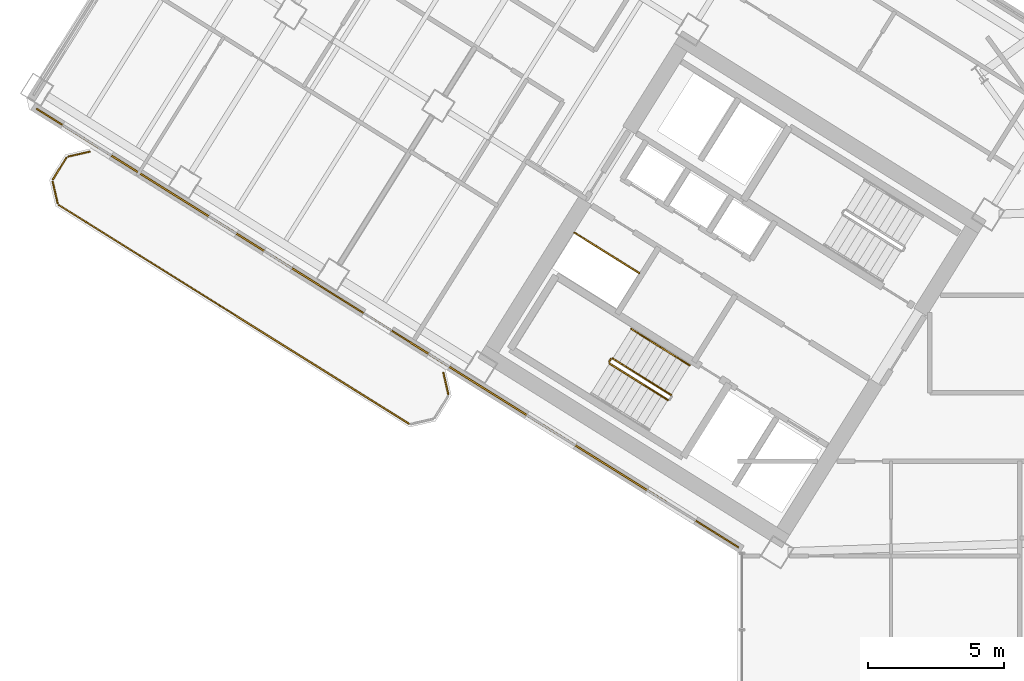
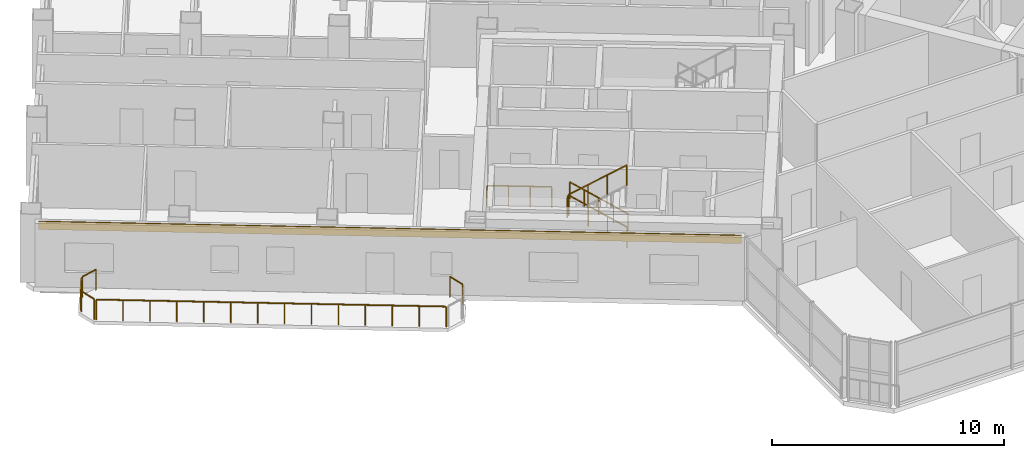
# One storey, part 18 of 21: 11 railings, 1 covering.
"""IFC4 building model written with IfcOpenShell, lengths in metres."""

from ifc_helpers import new_model, si_unit, direction, frame, origin, origin_2d, place, context, subcontext, project, spatial, rectangle, extrude, source, transform, mapped, material, layer, layer_set, type_object, element, save


model = new_model("IFC4")

# Units and contexts
model_context = context("Model", 3, precision=1e-05, world=origin(), true_north=direction((0.0, 1.0)))
body_context = subcontext(model_context, "Body", "Model", "MODEL_VIEW")
ifc_project = project(units=[si_unit("LENGTHUNIT", "METRE"), si_unit("AREAUNIT", "SQUARE_METRE"), si_unit("VOLUMEUNIT", "CUBIC_METRE"), si_unit("PLANEANGLEUNIT", "RADIAN"), si_unit("MASSUNIT", "GRAM", prefix="KILO")], contexts=[model_context])

# Site, building, storey
site_placement = place(None, origin())
site = spatial("IfcSite", under=ifc_project, at=site_placement, CompositionType="ELEMENT")
building_placement = place(site_placement, origin())
building = spatial("IfcBuilding", under=site, at=building_placement, Name="Tlacorven Tower", CompositionType="ELEMENT")
storey_placement = place(building_placement, frame((0.0, 0.0, 119.699951171875)))
storey = spatial("IfcBuildingStorey", under=building, at=storey_placement, Name="L30", CompositionType="ELEMENT", Elevation=119.699951171875)

# Railings
ifc_material_1 = material(Name="Aluminium and painted steel balustrade", Category="steel")
railing_type_1 = type_object("IfcRailingType", Name="RL-GRD-1100", PredefinedType="GUARDRAIL", material=ifc_material_1)
shared_shape_1 = source(origin(), body_context, "Body", "SweptSolid", [
    extrude(rectangle(XDim=0.048095703125, YDim=0.048095703125, at=origin_2d()), frame((0.0, 0.0, 1.076171875), z_axis=(-0.848091358275, 0.529850024081, 0.0), x_axis=(-0.529850024081, -0.848091358275, 0.0)), (0.0, 0.0, 1.0), 2.800048828125),
    extrude(rectangle(XDim=0.0419921875, YDim=0.0419921875, at=origin_2d()), origin(), (0.0, 0.0, 1.0), 1.052001953125),
    extrude(rectangle(XDim=0.0419921875, YDim=0.0419921875, at=origin_2d()), frame((-0.79150390625, 0.49462890625, 0.0)), (0.0, 0.0, 1.0), 1.052001953125),
    extrude(rectangle(XDim=0.0419921875, YDim=0.0419921875, at=origin_2d()), frame((-1.583251953125, 0.989013671875, 0.0)), (0.0, 0.0, 1.0), 1.052001953125),
    extrude(rectangle(XDim=0.0419921875, YDim=0.0419921875, at=origin_2d()), frame((-2.374755859375, 1.483642578125, 0.0)), (0.0, 0.0, 1.0), 1.052001953125),
])
railing_1_placement = place(storey_placement, frame((27.9912109375, 22.32080078125, 0.0)))
element("IfcRailing", 1, at=railing_1_placement, inside=storey, type_object=railing_type_1, Name="L30 Electrical Riser W Shaft Guard 1", PredefinedType="GUARDRAIL", context=body_context, shape_type="MappedRepresentation", body=[
    mapped(shared_shape_1, transform((0.0, 0.0, 0.0), scale=1.0)),
])
railing_type_2 = type_object("IfcRailingType", Name="RL-BAL-1100", PredefinedType="BALUSTRADE", material=ifc_material_1)
shared_shape_2 = source(origin(), body_context, "Body", "SweptSolid", [
    extrude(rectangle(XDim=0.048095703125, YDim=0.048095703125, at=origin_2d()), frame((0.0, 0.0, 1.076171875), z_axis=(0.225058334816, -0.974345290916, 0.0), x_axis=(0.974345290916, 0.225058334816, 0.0)), (0.0, 0.0, 1.0), 0.80712890625),
    extrude(rectangle(XDim=0.0419921875, YDim=0.0419921875, at=origin_2d()), origin(), (0.0, 0.0, 1.0), 1.052001953125),
    extrude(rectangle(XDim=0.0419921875, YDim=0.0419921875, at=origin_2d()), frame((0.181640625, -0.786376953125, 0.0)), (0.0, 0.0, 1.0), 1.052001953125),
])
railing_2_placement = place(storey_placement, frame((20.809814453125, 18.671142578125, 0.0)))
element("IfcRailing", 2, at=railing_2_placement, inside=storey, type_object=railing_type_2, Name="BAL-L30-W-OUT Guard Railing 1", PredefinedType="BALUSTRADE", context=body_context, shape_type="MappedRepresentation", body=[
    mapped(shared_shape_2, transform((0.0, 0.0, 0.0), scale=1.0)),
])
shared_shape_3 = source(origin(), body_context, "Body", "SweptSolid", [
    extrude(rectangle(XDim=0.048095703125, YDim=0.048095703125, at=origin_2d()), frame((0.0, 0.0, 1.076171875), z_axis=(-0.225058334816, 0.974345290916, 0.0), x_axis=(-0.974345290916, -0.225058334816, 0.0)), (0.0, 0.0, 1.0), 0.80712890625),
    extrude(rectangle(XDim=0.0419921875, YDim=0.0419921875, at=origin_2d()), origin(), (0.0, 0.0, 1.0), 1.052001953125),
    extrude(rectangle(XDim=0.0419921875, YDim=0.0419921875, at=origin_2d()), frame((-0.181640625, 0.786376953125, 0.0)), (0.0, 0.0, 1.0), 1.052001953125),
])
railing_3_placement = place(storey_placement, frame((6.66650390625, 24.88623046875, 0.0)))
element("IfcRailing", 3, at=railing_3_placement, inside=storey, type_object=railing_type_2, Name="BAL-L30-W-OUT Guard Railing 5", PredefinedType="BALUSTRADE", context=body_context, shape_type="MappedRepresentation", body=[
    mapped(shared_shape_3, transform((0.0, 0.0, 0.0), scale=1.0)),
])
shared_shape_4 = source(origin(), body_context, "Body", "SweptSolid", [
    extrude(rectangle(XDim=0.048095703125, YDim=0.048095703125, at=origin_2d()), frame((0.0, 0.0, 1.076171875), z_axis=(0.974411586182, 0.224771129628, 0.0), x_axis=(-0.224771129628, 0.974411586182, 0.0)), (0.0, 0.0, 1.0), 0.80712890625),
    extrude(rectangle(XDim=0.0419921875, YDim=0.0419921875, at=origin_2d()), origin(), (0.0, 0.0, 1.0), 1.052001953125),
    extrude(rectangle(XDim=0.0419921875, YDim=0.0419921875, at=origin_2d()), frame((0.786376953125, 0.181396484375, 0.0)), (0.0, 0.0, 1.0), 1.052001953125),
])
railing_4_placement = place(storey_placement, frame((7.05859375, 26.591064453125, 0.0)))
element("IfcRailing", 4, at=railing_4_placement, inside=storey, type_object=railing_type_2, Name="BAL-L30-W-OUT Guard Railing 7", PredefinedType="BALUSTRADE", context=body_context, shape_type="MappedRepresentation", body=[
    mapped(shared_shape_4, transform((0.0, 0.0, 0.0), scale=1.0)),
])
shared_shape_5 = source(origin(), body_context, "Body", "SweptSolid", [
    extrude(rectangle(XDim=0.048095703125, YDim=0.048095703125, at=origin_2d()), frame((0.0, 0.0, 1.076171875), z_axis=(0.529998940003, 0.847998304005, 0.0), x_axis=(-0.847998304005, 0.529998940003, 0.0)), (0.0, 0.0, 1.0), 0.912109375),
    extrude(rectangle(XDim=0.0419921875, YDim=0.0419921875, at=origin_2d()), origin(), (0.0, 0.0, 1.0), 1.052001953125),
    extrude(rectangle(XDim=0.0419921875, YDim=0.0419921875, at=origin_2d()), frame((0.4833984375, 0.7734375, 0.0)), (0.0, 0.0, 1.0), 1.052001953125),
])
railing_5_placement = place(storey_placement, frame((6.5, 25.763916015625, 0.0)))
element("IfcRailing", 5, at=railing_5_placement, inside=storey, type_object=railing_type_2, Name="BAL-L30-W-OUT Guard Railing 6", PredefinedType="BALUSTRADE", context=body_context, shape_type="MappedRepresentation", body=[
    mapped(shared_shape_5, transform((0.0, 0.0, 0.0), scale=1.0)),
])

# Covering
ifc_material_2 = material(Name="Precast concrete C45/55", Category="concrete")
ifc_layer = layer(ifc_material_2, 0.06005859375)
ifc_layer_set = layer_set([ifc_layer], Name="Precast concrete C45/55")
covering_type = type_object("IfcCoveringType", Name="CV-CLD-TERC", PredefinedType="CLADDING", material=ifc_layer_set)
shared_shape_6 = source(origin(), body_context, "Body", "SweptSolid", [
    extrude(rectangle(XDim=30.35205078125, YDim=0.06005859375, at=origin_2d()), origin(), (0.0, 0.0, 1.0), 0.419921875),
])
covering_placement = place(storey_placement, frame((18.7626953125, 20.3046875, 2.93017578125), z_axis=(0.0, 0.0, 1.0), x_axis=(-0.848048152806, 0.529919173576, 0.0)))
element("IfcCovering", 6, at=covering_placement, inside=storey, type_object=covering_type, Name="L30 Masonry-Frame Spandrel Cladding 1", PredefinedType="CLADDING", context=body_context, shape_type="MappedRepresentation", body=[
    mapped(shared_shape_6, transform((0.0, 0.0, 0.0), scale=1.0)),
])

# Railings
shared_shape_7 = source(origin(), body_context, "Body", "SweptSolid", [
    extrude(rectangle(XDim=0.048095703125, YDim=0.048095703125, at=origin_2d()), frame((0.0, 0.0, 1.076171875), z_axis=(-0.848051830527, 0.529913287944, 0.0), x_axis=(-0.529913287944, -0.848051830527, 0.0)), (0.0, 0.0, 1.0), 15.1171875),
    extrude(rectangle(XDim=0.0419921875, YDim=0.0419921875, at=origin_2d()), origin(), (0.0, 0.0, 1.0), 1.052001953125),
    extrude(rectangle(XDim=0.0419921875, YDim=0.0419921875, at=origin_2d()), frame((-0.986083984375, 0.6162109375, 0.0)), (0.0, 0.0, 1.0), 1.052001953125),
    extrude(rectangle(XDim=0.0419921875, YDim=0.0419921875, at=origin_2d()), frame((-1.972412109375, 1.232421875, 0.0)), (0.0, 0.0, 1.0), 1.052001953125),
    extrude(rectangle(XDim=0.0419921875, YDim=0.0419921875, at=origin_2d()), frame((-2.95849609375, 1.8486328125, 0.0)), (0.0, 0.0, 1.0), 1.052001953125),
    extrude(rectangle(XDim=0.0419921875, YDim=0.0419921875, at=origin_2d()), frame((-3.944580078125, 2.46484375, 0.0)), (0.0, 0.0, 1.0), 1.052001953125),
    extrude(rectangle(XDim=0.0419921875, YDim=0.0419921875, at=origin_2d()), frame((-4.930908203125, 3.0810546875, 0.0)), (0.0, 0.0, 1.0), 1.052001953125),
    extrude(rectangle(XDim=0.0419921875, YDim=0.0419921875, at=origin_2d()), frame((-5.9169921875, 3.697265625, 0.0)), (0.0, 0.0, 1.0), 1.052001953125),
    extrude(rectangle(XDim=0.0419921875, YDim=0.0419921875, at=origin_2d()), frame((-6.903076171875, 4.3134765625, 0.0)), (0.0, 0.0, 1.0), 1.052001953125),
    extrude(rectangle(XDim=0.0419921875, YDim=0.0419921875, at=origin_2d()), frame((-7.88916015625, 4.9296875, 0.0)), (0.0, 0.0, 1.0), 1.052001953125),
    extrude(rectangle(XDim=0.0419921875, YDim=0.0419921875, at=origin_2d()), frame((-8.87548828125, 5.5458984375, 0.0)), (0.0, 0.0, 1.0), 1.052001953125),
    extrude(rectangle(XDim=0.0419921875, YDim=0.0419921875, at=origin_2d()), frame((-9.861572265625, 6.162109375, 0.0)), (0.0, 0.0, 1.0), 1.052001953125),
    extrude(rectangle(XDim=0.0419921875, YDim=0.0419921875, at=origin_2d()), frame((-10.84765625, 6.7783203125, 0.0)), (0.0, 0.0, 1.0), 1.052001953125),
    extrude(rectangle(XDim=0.0419921875, YDim=0.0419921875, at=origin_2d()), frame((-11.833984375, 7.39453125, 0.0)), (0.0, 0.0, 1.0), 1.052001953125),
    extrude(rectangle(XDim=0.0419921875, YDim=0.0419921875, at=origin_2d()), frame((-12.820068359375, 8.0107421875, 0.0)), (0.0, 0.0, 1.0), 1.052001953125),
])
railing_6_placement = place(storey_placement, frame((19.5400390625, 16.80029296875, 0.0)))
element("IfcRailing", 7, at=railing_6_placement, inside=storey, type_object=railing_type_2, Name="BAL-L30-W-OUT Guard Railing 4", PredefinedType="BALUSTRADE", context=body_context, shape_type="MappedRepresentation", body=[
    mapped(shared_shape_7, transform((0.0, 0.0, 0.0), scale=1.0)),
])
shared_shape_8 = source(origin(), body_context, "Body", "SweptSolid", [
    extrude(rectangle(XDim=0.048095703125, YDim=0.048095703125, at=origin_2d()), frame((0.0, 0.0, 1.076171875), z_axis=(-0.713319727316, 0.445773895627, 0.540796265334), x_axis=(-0.529955395941, -0.84802551749, 0.0)), (0.0, 0.0, 1.0), 2.995849609375),
    extrude(rectangle(XDim=0.0419921875, YDim=0.0419921875, at=origin_2d()), origin(), (0.0, 0.0, 1.0), 1.052001953125),
    extrude(rectangle(XDim=0.0419921875, YDim=0.0419921875, at=origin_2d()), frame((-0.71240234375, 0.445068359375, 0.5400390625)), (0.0, 0.0, 1.0), 1.052001953125),
    extrude(rectangle(XDim=0.0419921875, YDim=0.0419921875, at=origin_2d()), frame((-1.424560546875, 0.890380859375, 1.080078125)), (0.0, 0.0, 1.0), 1.052001953125),
    extrude(rectangle(XDim=0.0419921875, YDim=0.0419921875, at=origin_2d()), frame((-2.136962890625, 1.33544921875, 1.6201171875)), (0.0, 0.0, 1.0), 1.052001953125),
])
railing_7_placement = place(storey_placement, frame((29.16064453125, 17.851806640625, 0.179931640625)))
element("IfcRailing", 8, at=railing_7_placement, inside=storey, type_object=railing_type_1, Name="L30 ST-W1 stair guard 1", PredefinedType="GUARDRAIL", context=body_context, shape_type="MappedRepresentation", body=[
    mapped(shared_shape_8, transform((0.0, 0.0, 0.0), scale=1.0)),
])
shared_shape_9 = source(origin(), body_context, "Body", "SweptSolid", [
    extrude(rectangle(XDim=0.048095703125, YDim=0.048095703125, at=origin_2d()), frame((0.0, 0.0, 1.076171875), z_axis=(-0.530546985787, -0.847655529016, 0.0), x_axis=(0.847655529016, -0.530546985787, 0.0)), (0.0, 0.0, 1.0), 0.1201171875),
    extrude(rectangle(XDim=0.0419921875, YDim=0.0419921875, at=origin_2d()), origin(), (0.0, 0.0, 1.0), 1.052001953125),
    extrude(rectangle(XDim=0.0419921875, YDim=0.0419921875, at=origin_2d()), frame((-0.063720703125, -0.101806640625, 0.0)), (0.0, 0.0, 1.0), 1.052001953125),
])
railing_8_placement = place(storey_placement, frame((26.954833984375, 19.17138671875, 1.800048828125)))
element("IfcRailing", 9, at=railing_8_placement, inside=storey, type_object=railing_type_1, Name="L30 ST-W1 stair guard 2", PredefinedType="GUARDRAIL", context=body_context, shape_type="MappedRepresentation", body=[
    mapped(shared_shape_9, transform((0.0, 0.0, 0.0), scale=1.0)),
])
shared_shape_10 = source(origin(), body_context, "Body", "SweptSolid", [
    extrude(rectangle(XDim=0.048095703125, YDim=0.048095703125, at=origin_2d()), frame((0.0, 0.0, 1.076171875), z_axis=(0.713359751793, -0.4457479829, 0.540764828981), x_axis=(0.529911857636, 0.848052724267, 0.0)), (0.0, 0.0, 1.0), 2.99609375),
    extrude(rectangle(XDim=0.0419921875, YDim=0.0419921875, at=origin_2d()), origin(), (0.0, 0.0, 1.0), 1.052001953125),
    extrude(rectangle(XDim=0.0419921875, YDim=0.0419921875, at=origin_2d()), frame((0.71240234375, -0.445068359375, 0.5400390625)), (0.0, 0.0, 1.0), 1.052001953125),
    extrude(rectangle(XDim=0.0419921875, YDim=0.0419921875, at=origin_2d()), frame((1.4248046875, -0.890380859375, 1.080078125)), (0.0, 0.0, 1.0), 1.052001953125),
    extrude(rectangle(XDim=0.0419921875, YDim=0.0419921875, at=origin_2d()), frame((2.13720703125, -1.33544921875, 1.6201171875)), (0.0, 0.0, 1.0), 1.052001953125),
])
railing_9_placement = place(storey_placement, frame((26.906982421875, 19.000732421875, 1.97998046875)))
element("IfcRailing", 10, at=railing_9_placement, inside=storey, type_object=railing_type_1, Name="L30 ST-W1 stair guard 3", PredefinedType="GUARDRAIL", context=body_context, shape_type="MappedRepresentation", body=[
    mapped(shared_shape_10, transform((0.0, 0.0, 0.0), scale=1.0)),
])
railing_type_3 = type_object("IfcRailingType", Name="RL-HND-0900", PredefinedType="HANDRAIL", material=ifc_material_1)
shared_shape_11 = source(origin(), body_context, "Body", "SweptSolid", [
    extrude(rectangle(XDim=0.048095703125, YDim=0.048095703125, at=origin_2d()), frame((0.0, 0.0, 0.8759765625), z_axis=(-0.713359751793, 0.4457479829, 0.540764828981), x_axis=(-0.529911857636, -0.848052724267, 0.0)), (0.0, 0.0, 1.0), 1.498046875),
    extrude(rectangle(XDim=0.0419921875, YDim=0.0419921875, at=origin_2d()), origin(), (0.0, 0.0, 1.0), 0.851806640625),
    extrude(rectangle(XDim=0.0419921875, YDim=0.0419921875, at=origin_2d()), frame((-0.5341796875, 0.333984375, 0.405029296875)), (0.0, 0.0, 1.0), 0.851806640625),
    extrude(rectangle(XDim=0.0419921875, YDim=0.0419921875, at=origin_2d()), frame((-1.068603515625, 0.667724609375, 0.81005859375)), (0.0, 0.0, 1.0), 0.851806640625),
])
for number, where, name in (
    (11, (29.839111328125, 18.937255859375, 0.179931640625), "L30 ST-W1 stair handrail 1"),
    (12, (28.7705078125, 19.60498046875, 0.989990234375), "L30 ST-W1 stair handrail 2"),
):
    element("IfcRailing", number, at=place(storey_placement, frame(where)), inside=storey, type_object=railing_type_3, Name=name, PredefinedType="HANDRAIL", context=body_context, shape_type="MappedRepresentation", body=[
        mapped(shared_shape_11, transform((0.0, 0.0, 0.0), scale=1.0)),
    ])

save(model, "model.ifc")
